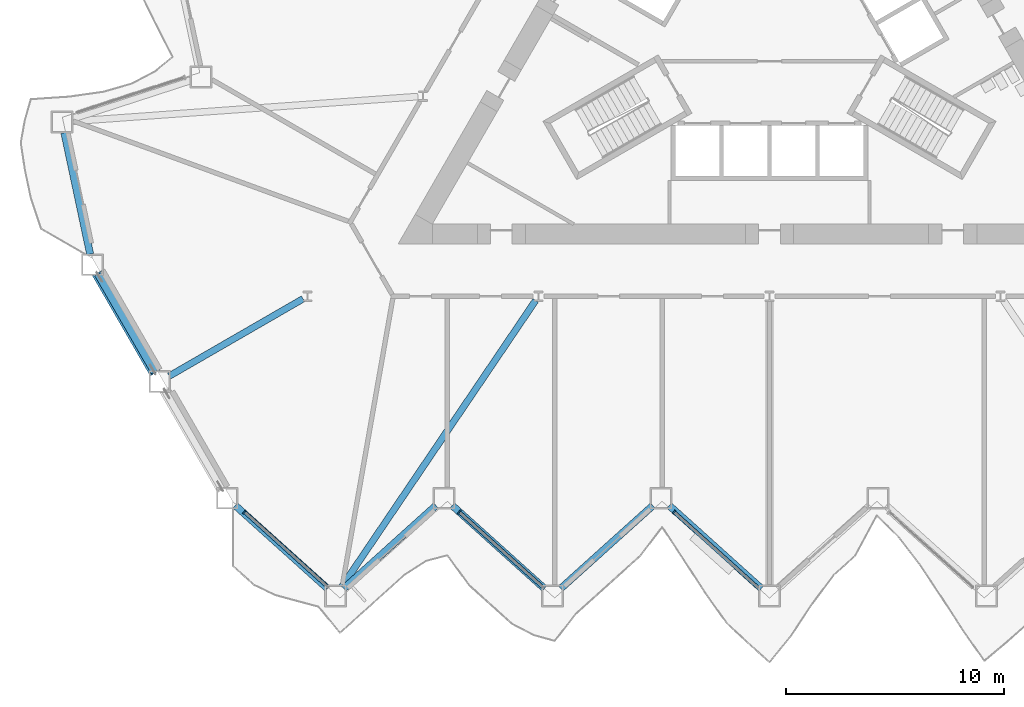
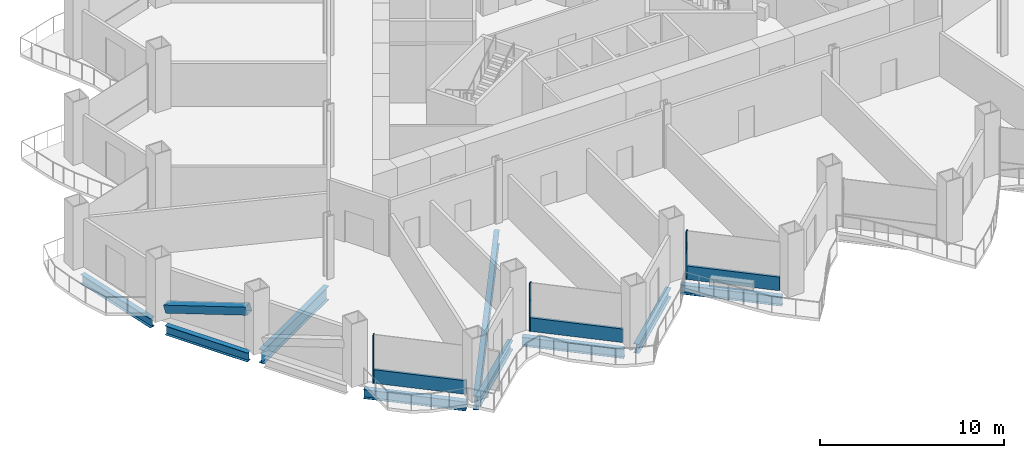
# One storey, part 2 of 21: 9 beams, 7 members, 3 elements without a shape of their own.
"""IFC4 building model written with IfcOpenShell, lengths in metres."""

from ifc_helpers import new_model, si_unit, direction, frame, origin, origin_2d, place, context, subcontext, project, spatial, rectangle, hollow_rectangle, i_section, extrude, material, layer, layer_set, material_profile, profile_set, type_object, element, aggregate, save


model = new_model("IFC4")

# Units and contexts
model_context = context("Model", 3, precision=1e-05, world=origin(), true_north=direction((0.0, 1.0)))
body_context = subcontext(model_context, "Body", "Model", "MODEL_VIEW")
ifc_project = project(units=[si_unit("LENGTHUNIT", "METRE"), si_unit("AREAUNIT", "SQUARE_METRE"), si_unit("VOLUMEUNIT", "CUBIC_METRE"), si_unit("PLANEANGLEUNIT", "RADIAN"), si_unit("MASSUNIT", "GRAM", prefix="KILO")], contexts=[model_context])

# Site, building, storey
site_placement = place(None, origin())
site = spatial("IfcSite", under=ifc_project, at=site_placement, CompositionType="ELEMENT")
building_placement = place(site_placement, origin())
building = spatial("IfcBuilding", under=site, at=building_placement, Name="Cormorant Prow Tower", CompositionType="ELEMENT")
storey_placement = place(building_placement, frame((0.0, 0.0, 67.800048828125)))
storey = spatial("IfcBuildingStorey", under=building, at=storey_placement, Name="L14", CompositionType="ELEMENT", Elevation=67.800048828125)

# Member
ifc_material_1 = material(Name="Structural steel ASTM A500 Gr C", Category="steel")
ifc_material_profile_1 = material_profile(ifc_material_1, hollow_rectangle(XDim=0.508056640625, YDim=0.508056640625, WallThickness=0.014892578125, at=origin_2d()), Name="HSS20x20x5/8")
ifc_profile_set_1 = profile_set([ifc_material_profile_1], Name="Structural steel ASTM A500 Gr C")
member_type_1 = type_object("IfcMemberType", Name="Chamfer brace HSS20x20x5/8", PredefinedType="BRACE", material=ifc_profile_set_1)
member_1_placement = place(storey_placement, frame((-30.74072265625, -11.222900390625, 0.76708984375), z_axis=(0.475875326044, -0.824258984489, 0.306822099191), x_axis=(0.866030326616, 0.499991473309, 0.0)))
element("IfcMember", 1, at=member_1_placement, inside=storey, type_object=member_type_1, Name="Chamfer brace BR1 at WSW00 L14", PredefinedType="BRACE", context=body_context, shape_type="SweptSolid", body=[
    extrude(hollow_rectangle(XDim=0.508056640625, YDim=0.508056640625, WallThickness=0.014892578125, at=origin_2d()), origin(), (0.0, 0.0, 1.0), 5.392578125),
])

# Curtain wall, member
ifc_material_2 = material(Name="Aluminium 6063-T6", Category="aluminium")
ifc_layer = layer(ifc_material_2, 0.199951171875)
ifc_layer_set = layer_set([ifc_layer], Name="Aluminium 6063-T6")
curtain_wall_type = type_object("IfcCurtainWallType", Name="Office unitised curtain wall 200", PredefinedType="NOTDEFINED", material=ifc_layer_set)
curtain_wall_1_placement = place(storey_placement, origin())
curtain_wall_1 = element("IfcCurtainWall", 2, at=curtain_wall_1_placement, inside=storey, type_object=curtain_wall_type, Name="Office curtain wall S00", PredefinedType="NOTDEFINED")
ifc_material_3 = material(Name="Aluminium 6063-T6", Category="aluminium")
ifc_material_profile_2 = material_profile(ifc_material_3, rectangle(XDim=0.199951171875, YDim=0.06005859375, at=origin_2d()), Name="Office mullion 60x200")
ifc_profile_set_2 = profile_set([ifc_material_profile_2], Name="Aluminium 6063-T6")
member_type_2 = type_object("IfcMemberType", Name="Office mullion 60x200", PredefinedType="MULLION", material=ifc_profile_set_2)
member_2_placement = place(storey_placement, frame((-24.04052734375, -22.092041015625, 0.0), z_axis=(0.0, 0.0, 1.0), x_axis=(0.669130614945, 0.743144817746, 0.0)))
member_2 = element("IfcMember", 3, at=member_2_placement, type_object=member_type_2, Name="Office mullion S00", PredefinedType="MULLION", context=body_context, shape_type="SweptSolid", body=[
    extrude(rectangle(XDim=0.199951171875, YDim=0.06005859375, at=origin_2d()), origin(), (0.0, 0.0, 1.0), 3.18896484375),
])

curtain_wall_2_placement = place(storey_placement, origin())
curtain_wall_2 = element("IfcCurtainWall", 4, at=curtain_wall_2_placement, inside=storey, type_object=curtain_wall_type, Name="Office curtain wall S02", PredefinedType="NOTDEFINED")
member_3_placement = place(storey_placement, frame((-14.206298828125, -22.092041015625, 0.0), z_axis=(0.0, 0.0, 1.0), x_axis=(0.669130614945, 0.743144817746, 0.0)))
member_3 = element("IfcMember", 5, at=member_3_placement, type_object=member_type_2, Name="Office mullion S02", PredefinedType="MULLION", context=body_context, shape_type="SweptSolid", body=[
    extrude(rectangle(XDim=0.199951171875, YDim=0.06005859375, at=origin_2d()), origin(), (0.0, 0.0, 1.0), 3.18896484375),
])

curtain_wall_3_placement = place(storey_placement, origin())
curtain_wall_3 = element("IfcCurtainWall", 6, at=curtain_wall_3_placement, inside=storey, type_object=curtain_wall_type, Name="Office curtain wall S04", PredefinedType="NOTDEFINED")
member_4_placement = place(storey_placement, frame((-4.372314453125, -22.092041015625, 0.0), z_axis=(0.0, 0.0, 1.0), x_axis=(0.669130614945, 0.743144817746, 0.0)))
member_4 = element("IfcMember", 7, at=member_4_placement, type_object=member_type_2, Name="Office mullion S04", PredefinedType="MULLION", context=body_context, shape_type="SweptSolid", body=[
    extrude(rectangle(XDim=0.199951171875, YDim=0.06005859375, at=origin_2d()), origin(), (0.0, 0.0, 1.0), 3.18896484375),
])

# Member
ifc_material_4 = material(Name="Terracotta", Category="masonry")
ifc_material_profile_3 = material_profile(ifc_material_4, rectangle(XDim=0.159912109375, YDim=0.89990234375, at=origin_2d()), Name="Office terracotta spandrel rail 160x900")
ifc_profile_set_3 = profile_set([ifc_material_profile_3], Name="Terracotta")
member_type_3 = type_object("IfcMemberType", Name="Office terracotta spandrel rail 160x900", PredefinedType="USERDEFINED", material=ifc_profile_set_3)
member_5_placement = place(storey_placement, frame((-24.01806640625, -22.112060546875, 0.449951171875), z_axis=(0.743157426454, -0.669116611291, 0.0), x_axis=(0.669116611291, 0.743157426454, 0.0)))
member_5 = element("IfcMember", 8, at=member_5_placement, type_object=member_type_3, Name="Office spandrel rail S00", ObjectType="TRANSOM", PredefinedType="USERDEFINED", context=body_context, shape_type="SweptSolid", body=[
    extrude(rectangle(XDim=0.159912109375, YDim=0.89990234375, at=origin_2d()), origin(), (0.0, 0.0, 1.0), 5.150390625),
])

aggregate(curtain_wall_1, [member_2, member_5])

member_6_placement = place(storey_placement, frame((-14.18408203125, -22.112060546875, 0.449951171875), z_axis=(0.743157426454, -0.669116611291, 0.0), x_axis=(0.669116611291, 0.743157426454, 0.0)))
member_6 = element("IfcMember", 9, at=member_6_placement, type_object=member_type_3, Name="Office spandrel rail S02", ObjectType="TRANSOM", PredefinedType="USERDEFINED", context=body_context, shape_type="SweptSolid", body=[
    extrude(rectangle(XDim=0.159912109375, YDim=0.89990234375, at=origin_2d()), origin(), (0.0, 0.0, 1.0), 5.150390625),
])

aggregate(curtain_wall_2, [member_3, member_6])

member_7_placement = place(storey_placement, frame((-4.35009765625, -22.112060546875, 0.449951171875), z_axis=(0.743157426454, -0.669116611291, 0.0), x_axis=(0.669116611291, 0.743157426454, 0.0)))
member_7 = element("IfcMember", 10, at=member_7_placement, type_object=member_type_3, Name="Office spandrel rail S04", ObjectType="TRANSOM", PredefinedType="USERDEFINED", context=body_context, shape_type="SweptSolid", body=[
    extrude(rectangle(XDim=0.159912109375, YDim=0.89990234375, at=origin_2d()), origin(), (0.0, 0.0, 1.0), 5.150390625),
])

aggregate(curtain_wall_3, [member_4, member_7])

# Beams
ifc_material_5 = material(Name="Structural steel ASTM A992 Gr 50", Category="steel")
ifc_material_profile_4 = material_profile(ifc_material_5, i_section(OverallWidth=0.3046875, OverallDepth=0.914794921875, WebThickness=0.0166015625, FlangeThickness=0.02587890625, at=origin_2d()), Name="W36x160")
ifc_profile_set_4 = profile_set([ifc_material_profile_4], Name="Structural steel ASTM A992 Gr 50")
beam_type_1 = type_object("IfcBeamType", Name="Radial floor beam W36x160", PredefinedType="BEAM", material=ifc_profile_set_4)
beam_1_placement = place(storey_placement, frame((-21.358154296875, -12.3310546875, -0.857421875), z_axis=(-0.866014253463, -0.500019312426, 0.0), x_axis=(0.500019312426, -0.866014253463, 0.0)))
element("IfcBeam", 11, at=beam_1_placement, inside=storey, type_object=beam_type_1, Name="Radial floor beam FB1 5 L14", PredefinedType="BEAM", context=body_context, shape_type="SweptSolid", body=[
    extrude(i_section(OverallWidth=0.3046875, OverallDepth=0.914794921875, WebThickness=0.0166015625, FlangeThickness=0.02587890625, at=origin_2d()), origin(), (0.0, 0.0, 1.0), 7.071533203125),
])
beam_2_placement = place(storey_placement, frame((-10.708740234375, -12.4072265625, -0.857421875), z_axis=(-0.560597160775, -0.828088656685, 0.0), x_axis=(0.828088656685, -0.560597160775, 0.0)))
element("IfcBeam", 12, at=beam_2_placement, inside=storey, type_object=beam_type_1, Name="Radial floor beam FB1 6 L14", PredefinedType="BEAM", context=body_context, shape_type="SweptSolid", body=[
    extrude(i_section(OverallWidth=0.3046875, OverallDepth=0.914794921875, WebThickness=0.0166015625, FlangeThickness=0.02587890625, at=origin_2d()), origin(), (0.0, 0.0, 1.0), 15.831787109375),
])
ifc_material_6 = material(Name="Structural steel ASTM A992 Gr 50", Category="steel")
ifc_material_profile_5 = material_profile(ifc_material_6, i_section(OverallWidth=0.32373046875, OverallDepth=0.611083984375, WebThickness=0.0126953125, FlangeThickness=0.01904296875, at=origin_2d()), Name="W24x104")
ifc_profile_set_5 = profile_set([ifc_material_profile_5], Name="Structural steel ASTM A992 Gr 50")
beam_type_2 = type_object("IfcBeamType", Name="Spandrel beam W24x104", PredefinedType="SPANDREL", material=ifc_profile_set_5)
for number, where, z_axis, x_axis, name in (
    (13, (-24.458740234375, -21.79443359375, -0.70556640625), (0.743129630386, -0.669147481833, 0.0), (0.669147481833, 0.743129630386, 0.0), "Spandrel beam SB1 S00-S01 L14"),
    (14, (-19.49267578125, -25.596923828125, -0.70556640625), (0.743129630386, 0.669147481833, 0.0), (-0.669147481833, 0.743129630386, 0.0), "Spandrel beam SB1 S01-S02 L14"),
    (15, (-14.526611328125, -21.79443359375, -0.70556640625), (0.743129630386, -0.669147481833, 0.0), (0.669147481833, 0.743129630386, 0.0), "Spandrel beam SB1 S02-S03 L14"),
    (16, (-9.560546875, -25.596923828125, -0.70556640625), (0.743129630386, 0.669147481833, 0.0), (-0.669147481833, 0.743129630386, 0.0), "Spandrel beam SB1 S03-S04 L14"),
    (17, (-4.594482421875, -21.79443359375, -0.70556640625), (0.743129630386, -0.669147481833, 0.0), (0.669147481833, 0.743129630386, 0.0), "Spandrel beam SB1 S04-S05 L14"),
    (18, (-32.285400390625, -4.726318359375, -0.70556640625), (0.207900376723, -0.97815000555, 0.0), (0.97815000555, 0.207900376723, 0.0), "Spandrel beam SB1 WNW09-WSW00 L14"),
):
    element("IfcBeam", number, at=place(storey_placement, frame(where, z_axis=z_axis, x_axis=x_axis)), inside=storey, type_object=beam_type_2, Name=name, PredefinedType="SPANDREL", context=body_context, shape_type="SweptSolid", body=[
        extrude(i_section(OverallWidth=0.32373046875, OverallDepth=0.611083984375, WebThickness=0.0126953125, FlangeThickness=0.01904296875, at=origin_2d()), origin(), (0.0, 0.0, 1.0), 5.6826171875),
    ])
beam_3_placement = place(storey_placement, frame((-30.75, -11.206787109375, -0.70556640625), z_axis=(0.49998408811, -0.866034590324, 0.0), x_axis=(0.866034590324, 0.49998408811, 0.0)))
element("IfcBeam", 19, at=beam_3_placement, inside=storey, type_object=beam_type_2, Name="Spandrel beam SB1 WSW00-WSW01 L14", PredefinedType="SPANDREL", context=body_context, shape_type="SweptSolid", body=[
    extrude(i_section(OverallWidth=0.32373046875, OverallDepth=0.611083984375, WebThickness=0.0126953125, FlangeThickness=0.01904296875, at=origin_2d()), origin(), (0.0, 0.0, 1.0), 5.169677734375),
])

save(model, "model.ifc")
